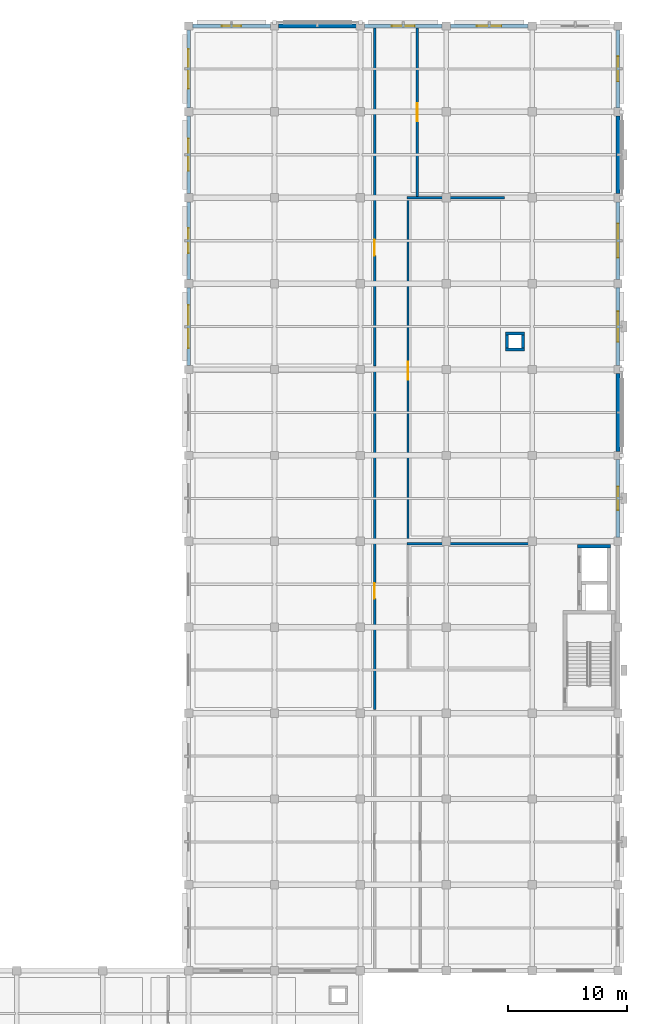
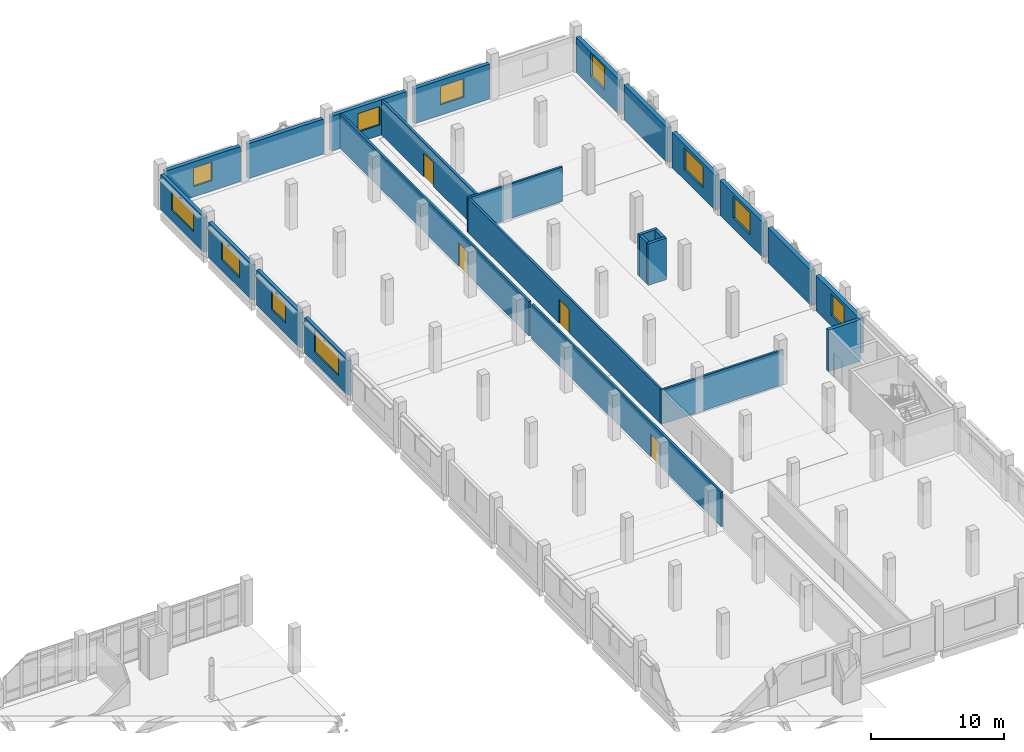
# One storey, part 47 of 62: 25 walls, 11 windows, 4 doors, 15 openings.
"""IFC4 building model written with IfcOpenShell, lengths in metres."""

from ifc_helpers import new_model, si_unit, direction, frame, frame_2d, origin, place, context, subcontext, project, spatial, rectangle, extrude, material, layer, layer_set, type_object, element, fill, save


model = new_model("IFC4")

# Units and contexts
model_context = context("Model", 3, precision=1e-05, world=origin(), true_north=direction((0.0, 1.0)))
body_context = subcontext(model_context, "Body", "Model", "MODEL_VIEW")
ifc_project = project(units=[si_unit("LENGTHUNIT", "METRE"), si_unit("AREAUNIT", "SQUARE_METRE"), si_unit("VOLUMEUNIT", "CUBIC_METRE"), si_unit("PLANEANGLEUNIT", "RADIAN"), si_unit("MASSUNIT", "GRAM", prefix="KILO")], contexts=[model_context])

# Site, building, storey
site_placement = place(None, origin())
site = spatial("IfcSite", under=ifc_project, at=site_placement, CompositionType="ELEMENT")
building_placement = place(site_placement, origin())
building = spatial("IfcBuilding", under=site, at=building_placement, Name="Valkovuoma Quantum and Materials Research Institute", CompositionType="ELEMENT")
storey_placement = place(building_placement, frame((0.0, 0.0, 8.9599609375)))
storey = spatial("IfcBuildingStorey", under=building, at=storey_placement, Name="L02", CompositionType="ELEMENT", Elevation=8.9599609375)

# Wall
ifc_material_1 = material(Name="Concrete C40/50", Category="concrete")
ifc_layer_1 = layer(ifc_material_1, 0.300048828125)
ifc_layer_set_1 = layer_set([ifc_layer_1], Name="Concrete C40/50")
wall_type_1 = type_object("IfcWallType", Name="Wall-W-COR300", PredefinedType="SHEAR", material=ifc_layer_set_1)
wall_1_placement = place(storey_placement, frame((162.219970703125, 71.580078125, 0.0), z_axis=(0.0, 0.0, 1.0), x_axis=(1.0, 0.0, 0.0)))
element("IfcWall", 1, at=wall_1_placement, inside=storey, type_object=wall_type_1, Name="L02 core wall 0227", PredefinedType="SHEAR", context=body_context, shape_type="SweptSolid", body=[
    extrude(rectangle(XDim=2.760009765625, YDim=0.300048828125, at=frame_2d((1.3798828125, 0.0))), origin(), (0.0, 0.0, 1.0), 3.81005859375),
])

# Wall, opening, window
ifc_material_2 = material(Name="Precast concrete C40/50", Category="concrete")
ifc_layer_2 = layer(ifc_material_2, 0.300048828125)
ifc_layer_set_2 = layer_set([ifc_layer_2], Name="Precast concrete C40/50")
wall_type_2 = type_object("IfcWallType", Name="Wall-W-EXT300", PredefinedType="SOLIDWALL", material=ifc_layer_set_2)
wall_2_placement = place(storey_placement, frame((129.60009765625, 86.739990234375, 0.0), z_axis=(0.0, 0.0, 1.0), x_axis=(0.0, 1.0, 0.0)))
wall_2 = element("IfcWall", 2, at=wall_2_placement, inside=storey, type_object=wall_type_2, Name="L02 exterior wall 0260", PredefinedType="SOLIDWALL", context=body_context, shape_type="SweptSolid", body=[
    extrude(rectangle(XDim=6.52001953125, YDim=0.300048828125, at=frame_2d((3.260009765625, 0.0))), origin(), (0.0, 0.0, 1.0), 3.2099609375),
])
opening_1_placement = place(wall_2_placement, frame((1.4599609375, 0.0, 0.949951171875)))
opening_1 = element("IfcOpeningElement", 3, at=opening_1_placement, cuts=wall_2, Name="Opening WN-WL07", PredefinedType="OPENING", context=body_context, shape_type="SweptSolid", body=[
    extrude(rectangle(XDim=3.60009765625, YDim=2.10009765625, at=frame_2d((1.800048828125, 1.050048828125))), frame((0.0, 0.16015625, 0.0), z_axis=(0.0, -1.0, 0.0), x_axis=(1.0, 0.0, 0.0)), (0.0, 0.0, 1.0), 0.320068359375),
])
ifc_material_3 = material(Name="Triple low-E argon glazing in thermally broken aluminium frame", Category="aluminium")
window_type_1 = type_object("IfcWindowType", Name="Win-WN-WL07", PartitioningType="SINGLE_PANEL", PredefinedType="WINDOW", material=ifc_material_3)
window_1_placement = place(opening_1_placement, origin())
window_1 = element("IfcWindow", 4, at=window_1_placement, inside=storey, type_object=window_type_1, Name="L02 window 0276", OverallHeight=2.10009765625, OverallWidth=3.60009765625, PartitioningType="SINGLE_PANEL", PredefinedType="WINDOW", context=body_context, shape_type="SweptSolid", body=[
    extrude(rectangle(XDim=3.60009765625, YDim=2.10009765625, at=frame_2d((1.800048828125, 1.050048828125))), frame((0.0, 0.030029296875, 0.0), z_axis=(0.0, -1.0, 0.0), x_axis=(1.0, 0.0, 0.0)), (0.0, 0.0, 1.0), 0.06005859375),
])
fill(opening_1, window_1)

wall_3_placement = place(storey_placement, frame((129.60009765625, 93.93994140625, 0.0), z_axis=(0.0, 0.0, 1.0), x_axis=(0.0, 1.0, 0.0)))
wall_3 = element("IfcWall", 5, at=wall_3_placement, inside=storey, type_object=wall_type_2, Name="L02 exterior wall 0261", PredefinedType="SOLIDWALL", context=body_context, shape_type="SweptSolid", body=[
    extrude(rectangle(XDim=6.52001953125, YDim=0.300048828125, at=frame_2d((3.260009765625, 0.0))), origin(), (0.0, 0.0, 1.0), 3.2099609375),
])
opening_2_placement = place(wall_3_placement, frame((2.2099609375, 0.0, 0.949951171875)))
opening_2 = element("IfcOpeningElement", 6, at=opening_2_placement, cuts=wall_3, Name="Opening WN-WL09", PredefinedType="OPENING", context=body_context, shape_type="SweptSolid", body=[
    extrude(rectangle(XDim=2.10009765625, YDim=1.800048828125, at=frame_2d((1.050048828125, 0.89990234375))), frame((0.0, 0.16015625, 0.0), z_axis=(0.0, -1.0, 0.0), x_axis=(1.0, 0.0, 0.0)), (0.0, 0.0, 1.0), 0.320068359375),
])
ifc_material_4 = material(Name="Triple low-E argon glazing in thermally broken aluminium frame", Category="aluminium")
window_type_2 = type_object("IfcWindowType", Name="Win-WN-WL09", PartitioningType="SINGLE_PANEL", PredefinedType="WINDOW", material=ifc_material_4)
window_2_placement = place(opening_2_placement, origin())
window_2 = element("IfcWindow", 7, at=window_2_placement, inside=storey, type_object=window_type_2, Name="L02 window 0277", OverallHeight=1.800048828125, OverallWidth=2.10009765625, PartitioningType="SINGLE_PANEL", PredefinedType="WINDOW", context=body_context, shape_type="SweptSolid", body=[
    extrude(rectangle(XDim=2.10009765625, YDim=1.800048828125, at=frame_2d((1.050048828125, 0.89990234375))), frame((0.0, 0.030029296875, 0.0), z_axis=(0.0, -1.0, 0.0), x_axis=(1.0, 0.0, 0.0)), (0.0, 0.0, 1.0), 0.06005859375),
])
fill(opening_2, window_2)

wall_4_placement = place(storey_placement, frame((129.60009765625, 101.139892578125, 0.0), z_axis=(0.0, 0.0, 1.0), x_axis=(0.0, 1.0, 0.0)))
wall_4 = element("IfcWall", 8, at=wall_4_placement, inside=storey, type_object=wall_type_2, Name="L02 exterior wall 0262", PredefinedType="SOLIDWALL", context=body_context, shape_type="SweptSolid", body=[
    extrude(rectangle(XDim=6.52001953125, YDim=0.300048828125, at=frame_2d((3.260009765625, 0.0))), origin(), (0.0, 0.0, 1.0), 3.2099609375),
])
opening_3_placement = place(wall_4_placement, frame((1.909912109375, 0.0, 0.949951171875)))
opening_3 = element("IfcOpeningElement", 9, at=opening_3_placement, cuts=wall_4, Name="Opening WN-WL11", PredefinedType="OPENING", context=body_context, shape_type="SweptSolid", body=[
    extrude(rectangle(XDim=2.699951171875, YDim=1.800048828125, at=frame_2d((1.35009765625, 0.89990234375))), frame((0.0, 0.16015625, 0.0), z_axis=(0.0, -1.0, 0.0), x_axis=(1.0, 0.0, 0.0)), (0.0, 0.0, 1.0), 0.320068359375),
])
ifc_material_5 = material(Name="Triple low-E argon glazing in thermally broken aluminium frame", Category="aluminium")
window_type_3 = type_object("IfcWindowType", Name="Win-WN-WL11", PartitioningType="SINGLE_PANEL", PredefinedType="WINDOW", material=ifc_material_5)
window_3_placement = place(opening_3_placement, origin())
window_3 = element("IfcWindow", 10, at=window_3_placement, inside=storey, type_object=window_type_3, Name="L02 window 0278", OverallHeight=1.800048828125, OverallWidth=2.699951171875, PartitioningType="SINGLE_PANEL", PredefinedType="WINDOW", context=body_context, shape_type="SweptSolid", body=[
    extrude(rectangle(XDim=2.699951171875, YDim=1.800048828125, at=frame_2d((1.35009765625, 0.89990234375))), frame((0.0, 0.030029296875, 0.0), z_axis=(0.0, -1.0, 0.0), x_axis=(1.0, 0.0, 0.0)), (0.0, 0.0, 1.0), 0.06005859375),
])
fill(opening_3, window_3)

wall_5_placement = place(storey_placement, frame((129.60009765625, 108.340087890625, 0.0), z_axis=(0.0, 0.0, 1.0), x_axis=(0.0, 1.0, 0.0)))
wall_5 = element("IfcWall", 11, at=wall_5_placement, inside=storey, type_object=wall_type_2, Name="L02 exterior wall 0263", PredefinedType="SOLIDWALL", context=body_context, shape_type="SweptSolid", body=[
    extrude(rectangle(XDim=6.52001953125, YDim=0.300048828125, at=frame_2d((3.260009765625, 0.0))), origin(), (0.0, 0.0, 1.0), 3.2099609375),
])
opening_4_placement = place(wall_5_placement, frame((1.610107421875, 0.0, 0.949951171875)))
opening_4 = element("IfcOpeningElement", 12, at=opening_4_placement, cuts=wall_5, Name="Opening WN-WL13", PredefinedType="OPENING", context=body_context, shape_type="SweptSolid", body=[
    extrude(rectangle(XDim=3.300048828125, YDim=1.800048828125, at=frame_2d((1.64990234375, 0.89990234375))), frame((0.0, 0.16015625, 0.0), z_axis=(0.0, -1.0, 0.0), x_axis=(1.0, 0.0, 0.0)), (0.0, 0.0, 1.0), 0.320068359375),
])
ifc_material_6 = material(Name="Triple low-E argon glazing in thermally broken aluminium frame", Category="aluminium")
window_type_4 = type_object("IfcWindowType", Name="Win-WN-WL13", PartitioningType="SINGLE_PANEL", PredefinedType="WINDOW", material=ifc_material_6)
window_4_placement = place(opening_4_placement, origin())
window_4 = element("IfcWindow", 13, at=window_4_placement, inside=storey, type_object=window_type_4, Name="L02 window 0279", OverallHeight=1.800048828125, OverallWidth=3.300048828125, PartitioningType="SINGLE_PANEL", PredefinedType="WINDOW", context=body_context, shape_type="SweptSolid", body=[
    extrude(rectangle(XDim=3.300048828125, YDim=1.800048828125, at=frame_2d((1.64990234375, 0.89990234375))), frame((0.0, 0.030029296875, 0.0), z_axis=(0.0, -1.0, 0.0), x_axis=(1.0, 0.0, 0.0)), (0.0, 0.0, 1.0), 0.06005859375),
])
fill(opening_4, window_4)

ifc_material_7 = material(Name="Precast concrete C40/50", Category="concrete")
ifc_layer_3 = layer(ifc_material_7, 0.340087890625)
ifc_layer_set_3 = layer_set([ifc_layer_3], Name="Precast concrete C40/50")
wall_type_3 = type_object("IfcWallType", Name="Wall-W-EXT340", PredefinedType="SOLIDWALL", material=ifc_layer_set_3)
wall_6_placement = place(storey_placement, frame((129.93994140625, 115.199951171875, 0.0), z_axis=(0.0, 0.0, 1.0), x_axis=(1.0, 0.0, 0.0)))
wall_6 = element("IfcWall", 14, at=wall_6_placement, inside=storey, type_object=wall_type_3, Name="L02 exterior wall 0248", PredefinedType="SOLIDWALL", context=body_context, shape_type="SweptSolid", body=[
    extrude(rectangle(XDim=6.52001953125, YDim=0.340087890625, at=frame_2d((3.260009765625, 0.0))), origin(), (0.0, 0.0, 1.0), 3.2099609375),
])
opening_5_placement = place(wall_6_placement, frame((2.4599609375, 0.0, 0.949951171875)))
opening_5 = element("IfcOpeningElement", 15, at=opening_5_placement, cuts=wall_6, Name="Opening WN-EX09", PredefinedType="OPENING", context=body_context, shape_type="SweptSolid", body=[
    extrude(rectangle(XDim=1.60009765625, YDim=1.699951171875, at=frame_2d((0.800048828125, 0.85009765625))), frame((0.0, 0.18017578125, 0.0), z_axis=(0.0, -1.0, 0.0), x_axis=(1.0, 0.0, 0.0)), (0.0, 0.0, 1.0), 0.360107421875),
])
ifc_material_8 = material(Name="Triple low-E argon glazing in thermally broken aluminium frame", Category="aluminium")
window_type_5 = type_object("IfcWindowType", Name="Win-WN-EX09", PartitioningType="SINGLE_PANEL", PredefinedType="WINDOW", material=ifc_material_8)
window_5_placement = place(opening_5_placement, origin())
window_5 = element("IfcWindow", 16, at=window_5_placement, inside=storey, type_object=window_type_5, Name="L02 window 0265", OverallHeight=1.699951171875, OverallWidth=1.60009765625, PartitioningType="SINGLE_PANEL", PredefinedType="WINDOW", context=body_context, shape_type="SweptSolid", body=[
    extrude(rectangle(XDim=1.60009765625, YDim=1.699951171875, at=frame_2d((0.800048828125, 0.85009765625))), frame((0.0, 0.030029296875, 0.0), z_axis=(0.0, -1.0, 0.0), x_axis=(1.0, 0.0, 0.0)), (0.0, 0.0, 1.0), 0.06005859375),
])
fill(opening_5, window_5)

# Wall
wall_7_placement = place(storey_placement, frame((137.139892578125, 115.199951171875, 0.0), z_axis=(0.0, 0.0, 1.0), x_axis=(1.0, 0.0, 0.0)))
element("IfcWall", 17, at=wall_7_placement, inside=storey, type_object=wall_type_3, Name="L02 exterior wall 0249", PredefinedType="SOLIDWALL", context=body_context, shape_type="SweptSolid", body=[
    extrude(rectangle(XDim=6.52001953125, YDim=0.340087890625, at=frame_2d((3.260009765625, 0.0))), origin(), (0.0, 0.0, 1.0), 3.2099609375),
])

# Wall, opening, window
wall_8_placement = place(storey_placement, frame((144.340087890625, 115.199951171875, 0.0), z_axis=(0.0, 0.0, 1.0), x_axis=(1.0, 0.0, 0.0)))
wall_8 = element("IfcWall", 18, at=wall_8_placement, inside=storey, type_object=wall_type_3, Name="L02 exterior wall 0250", PredefinedType="SOLIDWALL", context=body_context, shape_type="SweptSolid", body=[
    extrude(rectangle(XDim=6.52001953125, YDim=0.340087890625, at=frame_2d((3.260009765625, 0.0))), origin(), (0.0, 0.0, 1.0), 3.2099609375),
])
opening_6_placement = place(wall_8_placement, frame((2.31005859375, 0.0, 0.949951171875)))
opening_6 = element("IfcOpeningElement", 19, at=opening_6_placement, cuts=wall_8, Name="Opening WN-EX11", PredefinedType="OPENING", context=body_context, shape_type="SweptSolid", body=[
    extrude(rectangle(XDim=1.89990234375, YDim=1.699951171875, at=frame_2d((0.949951171875, 0.85009765625))), frame((0.0, 0.18017578125, 0.0), z_axis=(0.0, -1.0, 0.0), x_axis=(1.0, 0.0, 0.0)), (0.0, 0.0, 1.0), 0.360107421875),
])
ifc_material_9 = material(Name="Triple low-E argon glazing in thermally broken aluminium frame", Category="aluminium")
window_type_6 = type_object("IfcWindowType", Name="Win-WN-EX11", PartitioningType="SINGLE_PANEL", PredefinedType="WINDOW", material=ifc_material_9)
window_6_placement = place(opening_6_placement, origin())
window_6 = element("IfcWindow", 20, at=window_6_placement, inside=storey, type_object=window_type_6, Name="L02 window 0266", OverallHeight=1.699951171875, OverallWidth=1.89990234375, PartitioningType="SINGLE_PANEL", PredefinedType="WINDOW", context=body_context, shape_type="SweptSolid", body=[
    extrude(rectangle(XDim=1.89990234375, YDim=1.699951171875, at=frame_2d((0.949951171875, 0.85009765625))), frame((0.0, 0.030029296875, 0.0), z_axis=(0.0, -1.0, 0.0), x_axis=(1.0, 0.0, 0.0)), (0.0, 0.0, 1.0), 0.06005859375),
])
fill(opening_6, window_6)

wall_9_placement = place(storey_placement, frame((151.5400390625, 115.199951171875, 0.0), z_axis=(0.0, 0.0, 1.0), x_axis=(1.0, 0.0, 0.0)))
wall_9 = element("IfcWall", 21, at=wall_9_placement, inside=storey, type_object=wall_type_3, Name="L02 exterior wall 0251", PredefinedType="SOLIDWALL", context=body_context, shape_type="SweptSolid", body=[
    extrude(rectangle(XDim=6.52001953125, YDim=0.340087890625, at=frame_2d((3.260009765625, 0.0))), origin(), (0.0, 0.0, 1.0), 3.2099609375),
])
opening_7_placement = place(wall_9_placement, frame((2.235107421875, 0.0, 0.949951171875)))
opening_7 = element("IfcOpeningElement", 22, at=opening_7_placement, cuts=wall_9, Name="Opening WN-EX12", PredefinedType="OPENING", context=body_context, shape_type="SweptSolid", body=[
    extrude(rectangle(XDim=2.050048828125, YDim=1.699951171875, at=frame_2d((1.02490234375, 0.85009765625))), frame((0.0, 0.18017578125, 0.0), z_axis=(0.0, -1.0, 0.0), x_axis=(1.0, 0.0, 0.0)), (0.0, 0.0, 1.0), 0.360107421875),
])
ifc_material_10 = material(Name="Triple low-E argon glazing in thermally broken aluminium frame", Category="aluminium")
window_type_7 = type_object("IfcWindowType", Name="Win-WN-EX12", PartitioningType="SINGLE_PANEL", PredefinedType="WINDOW", material=ifc_material_10)
window_7_placement = place(opening_7_placement, origin())
window_7 = element("IfcWindow", 23, at=window_7_placement, inside=storey, type_object=window_type_7, Name="L02 window 0267", OverallHeight=1.699951171875, OverallWidth=2.050048828125, PartitioningType="SINGLE_PANEL", PredefinedType="WINDOW", context=body_context, shape_type="SweptSolid", body=[
    extrude(rectangle(XDim=2.050048828125, YDim=1.699951171875, at=frame_2d((1.02490234375, 0.85009765625))), frame((0.0, 0.030029296875, 0.0), z_axis=(0.0, -1.0, 0.0), x_axis=(1.0, 0.0, 0.0)), (0.0, 0.0, 1.0), 0.06005859375),
])
fill(opening_7, window_7)

ifc_material_11 = material(Name="Precast concrete C40/50", Category="concrete")
ifc_layer_4 = layer(ifc_material_11, 0.360107421875)
ifc_layer_set_4 = layer_set([ifc_layer_4], Name="Precast concrete C40/50")
wall_type_4 = type_object("IfcWallType", Name="Wall-W-EXT360", PredefinedType="SOLIDWALL", material=ifc_layer_set_4)
wall_10_placement = place(storey_placement, frame((165.60009765625, 72.340087890625, 0.0), z_axis=(0.0, 0.0, 1.0), x_axis=(0.0, 1.0, 0.0)))
wall_10 = element("IfcWall", 24, at=wall_10_placement, inside=storey, type_object=wall_type_4, Name="L02 exterior wall 0242", PredefinedType="SOLIDWALL", context=body_context, shape_type="SweptSolid", body=[
    extrude(rectangle(XDim=6.52001953125, YDim=0.360107421875, at=frame_2d((3.260009765625, 0.0))), origin(), (0.0, 0.0, 1.0), 3.2099609375),
])
opening_8_placement = place(wall_10_placement, frame((2.284912109375, 0.0, 0.949951171875)))
opening_8 = element("IfcOpeningElement", 25, at=opening_8_placement, cuts=wall_10, Name="Opening WN-WL17", PredefinedType="OPENING", context=body_context, shape_type="SweptSolid", body=[
    extrude(rectangle(XDim=1.949951171875, YDim=1.949951171875, at=frame_2d((0.97509765625, 0.97509765625))), frame((0.0, 0.18994140625, 0.0), z_axis=(0.0, -1.0, 0.0), x_axis=(1.0, 0.0, 0.0)), (0.0, 0.0, 1.0), 0.380126953125),
])
ifc_material_12 = material(Name="Triple low-E argon glazing in thermally broken aluminium frame", Category="aluminium")
window_type_8 = type_object("IfcWindowType", Name="Win-WN-WL17", PartitioningType="SINGLE_PANEL", PredefinedType="WINDOW", material=ifc_material_12)
window_8_placement = place(opening_8_placement, origin())
window_8 = element("IfcWindow", 26, at=window_8_placement, inside=storey, type_object=window_type_8, Name="L02 window 0261", OverallHeight=1.949951171875, OverallWidth=1.949951171875, PartitioningType="SINGLE_PANEL", PredefinedType="WINDOW", context=body_context, shape_type="SweptSolid", body=[
    extrude(rectangle(XDim=1.949951171875, YDim=1.949951171875, at=frame_2d((0.97509765625, 0.97509765625))), frame((0.0, 0.030029296875, 0.0), z_axis=(0.0, -1.0, 0.0), x_axis=(1.0, 0.0, 0.0)), (0.0, 0.0, 1.0), 0.06005859375),
])
fill(opening_8, window_8)

# Wall
wall_11_placement = place(storey_placement, frame((165.60009765625, 79.5400390625, 0.0), z_axis=(0.0, 0.0, 1.0), x_axis=(0.0, 1.0, 0.0)))
element("IfcWall", 27, at=wall_11_placement, inside=storey, type_object=wall_type_4, Name="L02 exterior wall 0243", PredefinedType="SOLIDWALL", context=body_context, shape_type="SweptSolid", body=[
    extrude(rectangle(XDim=6.52001953125, YDim=0.360107421875, at=frame_2d((3.260009765625, 0.0))), origin(), (0.0, 0.0, 1.0), 3.2099609375),
])

# Wall, opening, window
wall_12_placement = place(storey_placement, frame((165.60009765625, 86.739990234375, 0.0), z_axis=(0.0, 0.0, 1.0), x_axis=(0.0, 1.0, 0.0)))
wall_12 = element("IfcWall", 28, at=wall_12_placement, inside=storey, type_object=wall_type_4, Name="L02 exterior wall 0244", PredefinedType="SOLIDWALL", context=body_context, shape_type="SweptSolid", body=[
    extrude(rectangle(XDim=6.52001953125, YDim=0.360107421875, at=frame_2d((3.260009765625, 0.0))), origin(), (0.0, 0.0, 1.0), 3.2099609375),
])
opening_9_placement = place(wall_12_placement, frame((1.985107421875, 0.0, 0.949951171875)))
opening_9 = element("IfcOpeningElement", 29, at=opening_9_placement, cuts=wall_12, Name="Opening WN-WL19", PredefinedType="OPENING", context=body_context, shape_type="SweptSolid", body=[
    extrude(rectangle(XDim=2.550048828125, YDim=1.949951171875, at=frame_2d((1.27490234375, 0.97509765625))), frame((0.0, 0.18994140625, 0.0), z_axis=(0.0, -1.0, 0.0), x_axis=(1.0, 0.0, 0.0)), (0.0, 0.0, 1.0), 0.380126953125),
])
ifc_material_13 = material(Name="Triple low-E argon glazing in thermally broken aluminium frame", Category="aluminium")
window_type_9 = type_object("IfcWindowType", Name="Win-WN-WL19", PartitioningType="SINGLE_PANEL", PredefinedType="WINDOW", material=ifc_material_13)
window_9_placement = place(opening_9_placement, origin())
window_9 = element("IfcWindow", 30, at=window_9_placement, inside=storey, type_object=window_type_9, Name="L02 window 0262", OverallHeight=1.949951171875, OverallWidth=2.550048828125, PartitioningType="SINGLE_PANEL", PredefinedType="WINDOW", context=body_context, shape_type="SweptSolid", body=[
    extrude(rectangle(XDim=2.550048828125, YDim=1.949951171875, at=frame_2d((1.27490234375, 0.97509765625))), frame((0.0, 0.030029296875, 0.0), z_axis=(0.0, -1.0, 0.0), x_axis=(1.0, 0.0, 0.0)), (0.0, 0.0, 1.0), 0.06005859375),
])
fill(opening_9, window_9)

wall_13_placement = place(storey_placement, frame((165.60009765625, 93.93994140625, 0.0), z_axis=(0.0, 0.0, 1.0), x_axis=(0.0, 1.0, 0.0)))
wall_13 = element("IfcWall", 31, at=wall_13_placement, inside=storey, type_object=wall_type_4, Name="L02 exterior wall 0245", PredefinedType="SOLIDWALL", context=body_context, shape_type="SweptSolid", body=[
    extrude(rectangle(XDim=6.52001953125, YDim=0.360107421875, at=frame_2d((3.260009765625, 0.0))), origin(), (0.0, 0.0, 1.0), 3.2099609375),
])
opening_10_placement = place(wall_13_placement, frame((1.8349609375, 0.0, 0.949951171875)))
opening_10 = element("IfcOpeningElement", 32, at=opening_10_placement, cuts=wall_13, Name="Opening WN-WL20", PredefinedType="OPENING", context=body_context, shape_type="SweptSolid", body=[
    extrude(rectangle(XDim=2.85009765625, YDim=1.949951171875, at=frame_2d((1.425048828125, 0.97509765625))), frame((0.0, 0.18994140625, 0.0), z_axis=(0.0, -1.0, 0.0), x_axis=(1.0, 0.0, 0.0)), (0.0, 0.0, 1.0), 0.380126953125),
])
ifc_material_14 = material(Name="Triple low-E argon glazing in thermally broken aluminium frame", Category="aluminium")
window_type_10 = type_object("IfcWindowType", Name="Win-WN-WL20", PartitioningType="SINGLE_PANEL", PredefinedType="WINDOW", material=ifc_material_14)
window_10_placement = place(opening_10_placement, origin())
window_10 = element("IfcWindow", 33, at=window_10_placement, inside=storey, type_object=window_type_10, Name="L02 window 0263", OverallHeight=1.949951171875, OverallWidth=2.85009765625, PartitioningType="SINGLE_PANEL", PredefinedType="WINDOW", context=body_context, shape_type="SweptSolid", body=[
    extrude(rectangle(XDim=2.85009765625, YDim=1.949951171875, at=frame_2d((1.425048828125, 0.97509765625))), frame((0.0, 0.030029296875, 0.0), z_axis=(0.0, -1.0, 0.0), x_axis=(1.0, 0.0, 0.0)), (0.0, 0.0, 1.0), 0.06005859375),
])
fill(opening_10, window_10)

# Wall
wall_14_placement = place(storey_placement, frame((165.60009765625, 101.139892578125, 0.0), z_axis=(0.0, 0.0, 1.0), x_axis=(0.0, 1.0, 0.0)))
element("IfcWall", 34, at=wall_14_placement, inside=storey, type_object=wall_type_4, Name="L02 exterior wall 0246", PredefinedType="SOLIDWALL", context=body_context, shape_type="SweptSolid", body=[
    extrude(rectangle(XDim=6.52001953125, YDim=0.360107421875, at=frame_2d((3.260009765625, 0.0))), origin(), (0.0, 0.0, 1.0), 3.2099609375),
])

# Wall, opening, window
wall_15_placement = place(storey_placement, frame((165.60009765625, 108.340087890625, 0.0), z_axis=(0.0, 0.0, 1.0), x_axis=(0.0, 1.0, 0.0)))
wall_15 = element("IfcWall", 35, at=wall_15_placement, inside=storey, type_object=wall_type_4, Name="L02 exterior wall 0247", PredefinedType="SOLIDWALL", context=body_context, shape_type="SweptSolid", body=[
    extrude(rectangle(XDim=6.52001953125, YDim=0.360107421875, at=frame_2d((3.260009765625, 0.0))), origin(), (0.0, 0.0, 1.0), 3.2099609375),
])
opening_11_placement = place(wall_15_placement, frame((2.2099609375, 0.0, 0.949951171875)))
opening_11 = element("IfcOpeningElement", 36, at=opening_11_placement, cuts=wall_15, Name="Opening WN-WL02", PredefinedType="OPENING", context=body_context, shape_type="SweptSolid", body=[
    extrude(rectangle(XDim=2.10009765625, YDim=2.10009765625, at=frame_2d((1.050048828125, 1.050048828125))), frame((0.0, 0.18994140625, 0.0), z_axis=(0.0, -1.0, 0.0), x_axis=(1.0, 0.0, 0.0)), (0.0, 0.0, 1.0), 0.380126953125),
])
ifc_material_15 = material(Name="Triple low-E argon glazing in thermally broken aluminium frame", Category="aluminium")
window_type_11 = type_object("IfcWindowType", Name="Win-WN-WL02", PartitioningType="SINGLE_PANEL", PredefinedType="WINDOW", material=ifc_material_15)
window_11_placement = place(opening_11_placement, origin())
window_11 = element("IfcWindow", 37, at=window_11_placement, inside=storey, type_object=window_type_11, Name="L02 window 0264", OverallHeight=2.10009765625, OverallWidth=2.10009765625, PartitioningType="SINGLE_PANEL", PredefinedType="WINDOW", context=body_context, shape_type="SweptSolid", body=[
    extrude(rectangle(XDim=2.10009765625, YDim=2.10009765625, at=frame_2d((1.050048828125, 1.050048828125))), frame((0.0, 0.030029296875, 0.0), z_axis=(0.0, -1.0, 0.0), x_axis=(1.0, 0.0, 0.0)), (0.0, 0.0, 1.0), 0.06005859375),
])
fill(opening_11, window_11)

# Wall, opening, door
ifc_material_16 = material(Name="Laboratory fire-rated gypsum partition", Category="masonry")
ifc_layer_5 = layer(ifc_material_16, 0.179931640625)
ifc_layer_set_5 = layer_set([ifc_layer_5], Name="Laboratory fire-rated gypsum partition")
wall_type_5 = type_object("IfcWallType", Name="Wall-W-PRT180", PredefinedType="PARTITIONING", material=ifc_layer_set_5)
wall_16_placement = place(storey_placement, frame((145.199951171875, 57.889892578125, 0.0), z_axis=(0.0, 0.0, 1.0), x_axis=(0.0, 1.0, 0.0)))
wall_16 = element("IfcWall", 38, at=wall_16_placement, inside=storey, type_object=wall_type_5, Name="L02 partition 0132", PredefinedType="PARTITIONING", context=body_context, shape_type="SweptSolid", body=[
    extrude(rectangle(XDim=28.420166015625, YDim=0.179931640625, at=frame_2d((14.2099609375, 0.0))), origin(), (0.0, 0.0, 1.0), 3.16015625),
])
opening_12_placement = place(wall_16_placement, frame((9.306884765625, 0.0, 0.0)))
opening_12 = element("IfcOpeningElement", 39, at=opening_12_placement, cuts=wall_16, Name="Opening ID-0096", PredefinedType="OPENING", context=body_context, shape_type="SweptSolid", body=[
    extrude(rectangle(XDim=1.280029296875, YDim=2.1201171875, at=frame_2d((0.64013671875, 1.06005859375))), frame((0.0, 0.10009765625, 0.0), z_axis=(0.0, -1.0, 0.0), x_axis=(1.0, 0.0, 0.0)), (0.0, 0.0, 1.0), 0.199951171875),
])
ifc_material_17 = material(Name="Powder-coated steel and acoustic timber door assembly", Category="steel")
door_type_1 = type_object("IfcDoorType", Name="Door-DR-RM08", OperationType="NOTDEFINED", PredefinedType="DOOR", material=ifc_material_17)
door_1_placement = place(opening_12_placement, origin())
door_1 = element("IfcDoor", 40, at=door_1_placement, inside=storey, type_object=door_type_1, Name="L02 room door 0096", OperationType="SINGLE_SWING_LEFT", OverallHeight=2.1201171875, OverallWidth=1.280029296875, PredefinedType="DOOR", context=body_context, shape_type="SweptSolid", body=[
    extrude(rectangle(XDim=1.280029296875, YDim=2.1201171875, at=frame_2d((0.64013671875, 1.06005859375))), frame((0.0, 0.02490234375, 0.0), z_axis=(0.0, -1.0, 0.0), x_axis=(1.0, 0.0, 0.0)), (0.0, 0.0, 1.0), 0.050048828125),
])
fill(opening_12, door_1)

wall_17_placement = place(storey_placement, frame((145.199951171875, 86.68994140625, 0.0), z_axis=(0.0, 0.0, 1.0), x_axis=(0.0, 1.0, 0.0)))
wall_17 = element("IfcWall", 41, at=wall_17_placement, inside=storey, type_object=wall_type_5, Name="L02 partition 0133", PredefinedType="PARTITIONING", context=body_context, shape_type="SweptSolid", body=[
    extrude(rectangle(XDim=28.340087890625, YDim=0.179931640625, at=frame_2d((14.169921875, 0.0))), origin(), (0.0, 0.0, 1.0), 3.16015625),
])
opening_13_placement = place(wall_17_placement, frame((9.25390625, 0.0, 0.0)))
opening_13 = element("IfcOpeningElement", 42, at=opening_13_placement, cuts=wall_17, Name="Opening ID-0097", PredefinedType="OPENING", context=body_context, shape_type="SweptSolid", body=[
    extrude(rectangle(XDim=1.330078125, YDim=2.1201171875, at=frame_2d((0.6650390625, 1.06005859375))), frame((0.0, 0.10009765625, 0.0), z_axis=(0.0, -1.0, 0.0), x_axis=(1.0, 0.0, 0.0)), (0.0, 0.0, 1.0), 0.199951171875),
])
ifc_material_18 = material(Name="Powder-coated steel and acoustic timber door assembly", Category="steel")
door_type_2 = type_object("IfcDoorType", Name="Door-DR-RM09", OperationType="NOTDEFINED", PredefinedType="DOOR", material=ifc_material_18)
door_2_placement = place(opening_13_placement, origin())
door_2 = element("IfcDoor", 43, at=door_2_placement, inside=storey, type_object=door_type_2, Name="L02 room door 0097", OperationType="SINGLE_SWING_RIGHT", OverallHeight=2.1201171875, OverallWidth=1.330078125, PredefinedType="DOOR", context=body_context, shape_type="SweptSolid", body=[
    extrude(rectangle(XDim=1.330078125, YDim=2.1201171875, at=frame_2d((0.6650390625, 1.06005859375))), frame((0.0, 0.02490234375, 0.0), z_axis=(0.0, -1.0, 0.0), x_axis=(1.0, 0.0, 0.0)), (0.0, 0.0, 1.0), 0.050048828125),
])
fill(opening_13, door_2)

# Walls
wall_18_placement = place(storey_placement, frame((147.909912109375, 71.800048828125, 0.0), z_axis=(0.0, 0.0, 1.0), x_axis=(1.0, 0.0, 0.0)))
element("IfcWall", 44, at=wall_18_placement, inside=storey, type_object=wall_type_5, Name="L02 partition 0135", PredefinedType="PARTITIONING", context=body_context, shape_type="SweptSolid", body=[
    extrude(rectangle(XDim=10.580078125, YDim=0.179931640625, at=frame_2d((5.2900390625, 0.0))), origin(), (0.0, 0.0, 1.0), 3.16015625),
])
wall_19_placement = place(storey_placement, frame((147.909912109375, 100.800048828125, 0.0), z_axis=(0.0, 0.0, 1.0), x_axis=(1.0, 0.0, 0.0)))
element("IfcWall", 45, at=wall_19_placement, inside=storey, type_object=wall_type_5, Name="L02 partition 0137", PredefinedType="PARTITIONING", context=body_context, shape_type="SweptSolid", body=[
    extrude(rectangle(XDim=8.18017578125, YDim=0.179931640625, at=frame_2d((4.090087890625, 0.0))), origin(), (0.0, 0.0, 1.0), 3.16015625),
])

# Wall, opening, door
wall_20_placement = place(storey_placement, frame((148.0, 71.889892578125, 0.0), z_axis=(0.0, 0.0, 1.0), x_axis=(0.0, 1.0, 0.0)))
wall_20 = element("IfcWall", 46, at=wall_20_placement, inside=storey, type_object=wall_type_5, Name="L02 partition 0138", PredefinedType="PARTITIONING", context=body_context, shape_type="SweptSolid", body=[
    extrude(rectangle(XDim=28.820068359375, YDim=0.179931640625, at=frame_2d((14.41015625, 0.0))), origin(), (0.0, 0.0, 1.0), 3.16015625),
])
opening_14_placement = place(wall_20_placement, frame((13.669921875, 0.0, 0.0)))
opening_14 = element("IfcOpeningElement", 47, at=opening_14_placement, cuts=wall_20, Name="Opening ID-0100", PredefinedType="OPENING", context=body_context, shape_type="SweptSolid", body=[
    extrude(rectangle(XDim=1.47998046875, YDim=2.179931640625, at=frame_2d((0.739990234375, 1.08984375))), frame((0.0, 0.10009765625, 0.0), z_axis=(0.0, -1.0, 0.0), x_axis=(1.0, 0.0, 0.0)), (0.0, 0.0, 1.0), 0.199951171875),
])
ifc_material_19 = material(Name="Powder-coated steel and acoustic timber door assembly", Category="steel")
door_type_3 = type_object("IfcDoorType", Name="Door-DR-RM12", OperationType="NOTDEFINED", PredefinedType="DOOR", material=ifc_material_19)
door_3_placement = place(opening_14_placement, origin())
door_3 = element("IfcDoor", 48, at=door_3_placement, inside=storey, type_object=door_type_3, Name="L02 room door 0100", OperationType="SINGLE_SWING_LEFT", OverallHeight=2.179931640625, OverallWidth=1.47998046875, PredefinedType="DOOR", context=body_context, shape_type="SweptSolid", body=[
    extrude(rectangle(XDim=1.47998046875, YDim=2.179931640625, at=frame_2d((0.739990234375, 1.08984375))), frame((0.0, 0.02490234375, 0.0), z_axis=(0.0, -1.0, 0.0), x_axis=(1.0, 0.0, 0.0)), (0.0, 0.0, 1.0), 0.050048828125),
])
fill(opening_14, door_3)

ifc_material_20 = material(Name="Acoustic double-stud gypsum and mineral wool partition", Category="masonry")
ifc_layer_6 = layer(ifc_material_20, 0.199951171875)
ifc_layer_set_6 = layer_set([ifc_layer_6], Name="Acoustic double-stud gypsum and mineral wool partition")
wall_type_6 = type_object("IfcWallType", Name="Wall-W-PRT200", PredefinedType="PARTITIONING", material=ifc_layer_set_6)
wall_21_placement = place(storey_placement, frame((148.77001953125, 100.889892578125, 0.0), z_axis=(0.0, 0.0, 1.0), x_axis=(0.0, 1.0, 0.0)))
wall_21 = element("IfcWall", 49, at=wall_21_placement, inside=storey, type_object=wall_type_6, Name="L02 partition 0139", PredefinedType="PARTITIONING", context=body_context, shape_type="SweptSolid", body=[
    extrude(rectangle(XDim=14.14013671875, YDim=0.199951171875, at=frame_2d((7.070068359375, 0.0))), origin(), (0.0, 0.0, 1.0), 3.16015625),
])
opening_15_placement = place(wall_21_placement, frame((6.304931640625, 0.0, 0.0)))
opening_15 = element("IfcOpeningElement", 50, at=opening_15_placement, cuts=wall_21, Name="Opening ID-0101", PredefinedType="OPENING", context=body_context, shape_type="SweptSolid", body=[
    extrude(rectangle(XDim=1.530029296875, YDim=2.179931640625, at=frame_2d((0.76513671875, 1.08984375))), frame((0.0, 0.10986328125, 0.0), z_axis=(0.0, -1.0, 0.0), x_axis=(1.0, 0.0, 0.0)), (0.0, 0.0, 1.0), 0.219970703125),
])
ifc_material_21 = material(Name="Powder-coated steel and acoustic timber door assembly", Category="steel")
door_type_4 = type_object("IfcDoorType", Name="Door-DR-RM13", OperationType="NOTDEFINED", PredefinedType="DOOR", material=ifc_material_21)
door_4_placement = place(opening_15_placement, origin())
door_4 = element("IfcDoor", 51, at=door_4_placement, inside=storey, type_object=door_type_4, Name="L02 room door 0101", OperationType="SINGLE_SWING_RIGHT", OverallHeight=2.179931640625, OverallWidth=1.530029296875, PredefinedType="DOOR", context=body_context, shape_type="SweptSolid", body=[
    extrude(rectangle(XDim=1.530029296875, YDim=2.179931640625, at=frame_2d((0.76513671875, 1.08984375))), frame((0.0, 0.02490234375, 0.0), z_axis=(0.0, -1.0, 0.0), x_axis=(1.0, 0.0, 0.0)), (0.0, 0.0, 1.0), 0.050048828125),
])
fill(opening_15, door_4)

# Walls
ifc_material_22 = material(Name="Concrete C40/50", Category="concrete")
ifc_layer_7 = layer(ifc_material_22, 0.239990234375)
ifc_layer_set_7 = layer_set([ifc_layer_7], Name="Concrete C40/50")
wall_type_7 = type_object("IfcWallType", Name="Wall-W-SHF240", PredefinedType="SOLIDWALL", material=ifc_layer_set_7)
for number, where, z_axis, x_axis, name in (
    (52, (156.159912109375, 88.080078125, 0.0), (0.0, 0.0, 1.0), (1.0, 0.0, 0.0), "L02 core wall 0329"),
    (53, (156.159912109375, 89.419921875, 0.0), (0.0, 0.0, 1.0), (1.0, 0.0, 0.0), "L02 core wall 0330"),
):
    element("IfcWall", number, at=place(storey_placement, frame(where, z_axis=z_axis, x_axis=x_axis)), inside=storey, type_object=wall_type_7, Name=name, PredefinedType="SOLIDWALL", context=body_context, shape_type="SweptSolid", body=[
        extrude(rectangle(XDim=1.580078125, YDim=0.239990234375, at=frame_2d((0.7900390625, 0.0))), origin(), (0.0, 0.0, 1.0), 3.81005859375),
    ])
for number, where, z_axis, x_axis, name in (
    (54, (156.280029296875, 88.199951171875, 0.0), (0.0, 0.0, 1.0), (0.0, 1.0, 0.0), "L02 core wall 0331"),
    (55, (157.6201171875, 88.199951171875, 0.0), (0.0, 0.0, 1.0), (0.0, 1.0, 0.0), "L02 core wall 0332"),
):
    element("IfcWall", number, at=place(storey_placement, frame(where, z_axis=z_axis, x_axis=x_axis)), inside=storey, type_object=wall_type_7, Name=name, PredefinedType="SOLIDWALL", context=body_context, shape_type="SweptSolid", body=[
        extrude(rectangle(XDim=1.10009765625, YDim=0.239990234375, at=frame_2d((0.550048828125, 0.0))), origin(), (0.0, 0.0, 1.0), 3.81005859375),
    ])

save(model, "model.ifc")
